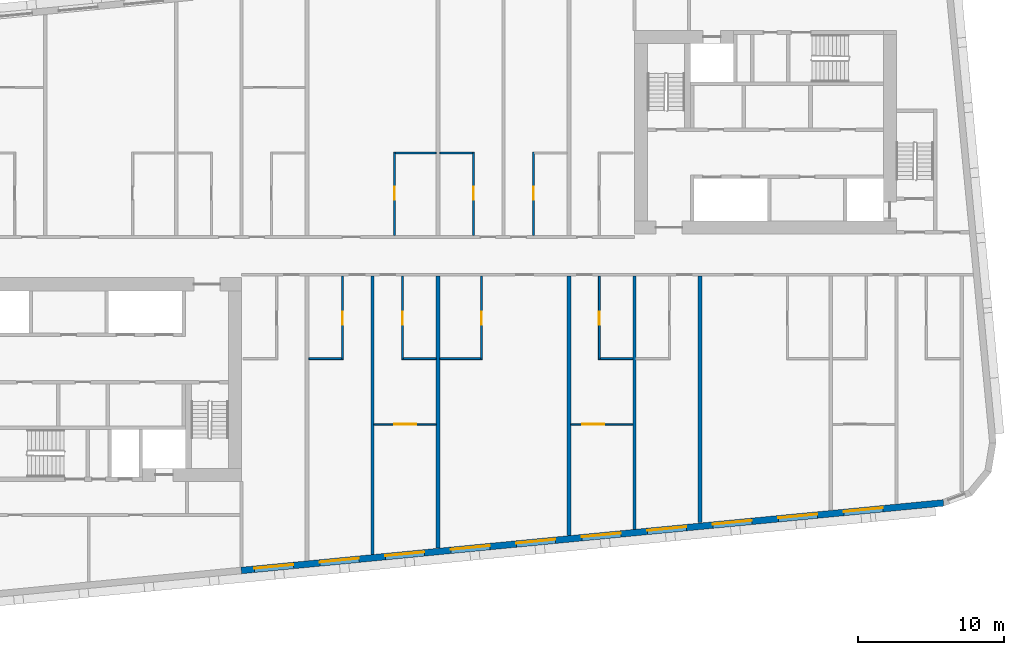
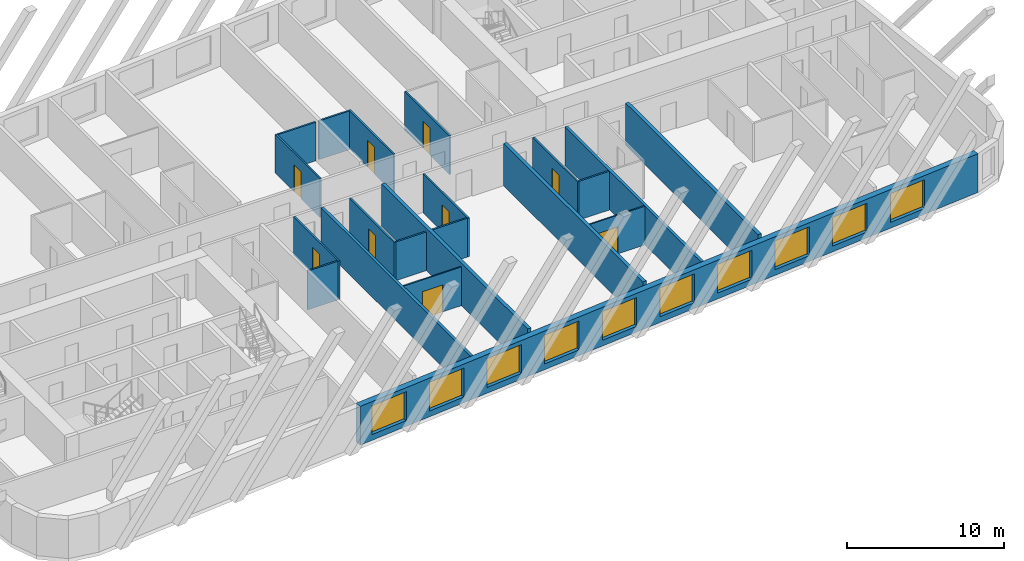
# One storey, part 4 of 13: 21 walls, 10 windows, 9 doors, 19 openings.
"""IFC4 building model written with IfcOpenShell, lengths in metres."""

from ifc_helpers import new_model, si_unit, direction, frame, frame_2d, origin, place, context, subcontext, project, spatial, rectangle, extrude, material, layer, layer_set, type_object, element, fill, save


model = new_model("IFC4")

# Units and contexts
model_context = context("Model", 3, precision=1e-05, world=origin(), true_north=direction((0.0, 1.0)))
body_context = subcontext(model_context, "Body", "Model", "MODEL_VIEW")
ifc_project = project(units=[si_unit("LENGTHUNIT", "METRE"), si_unit("AREAUNIT", "SQUARE_METRE"), si_unit("VOLUMEUNIT", "CUBIC_METRE"), si_unit("PLANEANGLEUNIT", "RADIAN"), si_unit("MASSUNIT", "GRAM", prefix="KILO")], contexts=[model_context])

# Site, building, storey
site_placement = place(None, origin())
site = spatial("IfcSite", under=ifc_project, at=site_placement, CompositionType="ELEMENT")
building_placement = place(site_placement, origin())
building = spatial("IfcBuilding", under=site, at=building_placement, Name="Kajstack Hotel Tower", CompositionType="ELEMENT")
storey_placement = place(building_placement, frame((0.0, 0.0, 298.199951171875)))
storey = spatial("IfcBuildingStorey", under=building, at=storey_placement, Name="L75", CompositionType="ELEMENT", Elevation=298.199951171875)

# Walls
ifc_material_1 = material(Name="Twin-frame gypsum board on steel studs, mineral wool", Category="steel")
ifc_layer_1 = layer(ifc_material_1, 0.199951171875)
ifc_layer_set_1 = layer_set([ifc_layer_1], Name="Demising wall 200")
wall_type_1 = type_object("IfcWallType", Name="Demising wall 200", PredefinedType="PARTITIONING", material=ifc_layer_set_1)
wall_1_placement = place(storey_placement, frame((-4.5, -20.529052734375, 0.0), z_axis=(0.0, 0.0, 1.0), x_axis=(0.0, 1.0, 0.0)))
element("IfcWall", 1, at=wall_1_placement, inside=storey, type_object=wall_type_1, Name="G-wall-L75-033", PredefinedType="PARTITIONING", context=body_context, shape_type="SweptSolid", body=[
    extrude(rectangle(XDim=19.129150390625, YDim=0.199951171875, at=frame_2d((9.564453125, 0.0))), origin(), (0.0, 0.0, 1.0), 3.02001953125),
])
wall_2_placement = place(storey_placement, frame((13.5, -18.7958984375, 0.0), z_axis=(0.0, 0.0, 1.0), x_axis=(0.0, 1.0, 0.0)))
element("IfcWall", 2, at=wall_2_placement, inside=storey, type_object=wall_type_1, Name="G-wall-L75-041", PredefinedType="PARTITIONING", context=body_context, shape_type="SweptSolid", body=[
    extrude(rectangle(XDim=17.39599609375, YDim=0.199951171875, at=frame_2d((8.697998046875, 0.0))), origin(), (0.0, 0.0, 1.0), 3.02001953125),
])

# Wall, openings, windows
ifc_material_2 = material(Name="Terracotta-faced brick masonry", Category="masonry")
ifc_layer_2 = layer(ifc_material_2, 0.449951171875)
ifc_layer_set_2 = layer_set([ifc_layer_2], Name="EW-TERRA")
wall_type_2 = type_object("IfcWallType", Name="EW-TERRA", PredefinedType="SOLIDWALL", material=ifc_layer_set_2)
wall_3_placement = place(storey_placement, frame((-13.521484375, -21.6240234375, 0.0), z_axis=(0.0, 0.0, 1.0), x_axis=(0.995396186218, 0.095845878695, 0.0)))
wall_3 = element("IfcWall", 3, at=wall_3_placement, inside=storey, type_object=wall_type_2, Name="E-wall-L75-04-02", PredefinedType="SOLIDWALL", context=body_context, shape_type="SweptSolid", body=[
    extrude(rectangle(XDim=48.481201171875, YDim=0.449951171875, at=frame_2d((24.24072265625, 0.0))), origin(), (0.0, 0.0, 1.0), 3.02001953125),
])
opening_1_placement = place(wall_3_placement, frame((0.910400390625, 0.0, 0.449951171875)))
opening_1 = element("IfcOpeningElement", 4, at=opening_1_placement, cuts=wall_3, Name="Opening W1", PredefinedType="OPENING", context=body_context, shape_type="SweptSolid", body=[
    extrude(rectangle(XDim=2.699951171875, YDim=2.25, at=frame_2d((1.35009765625, 1.125))), frame((0.0, 0.23486328125, 0.0), z_axis=(0.0, -1.0, 0.0), x_axis=(1.0, 0.0, 0.0)), (0.0, 0.0, 1.0), 0.469970703125),
])
opening_2_placement = place(wall_3_placement, frame((5.43115234375, 0.0, 0.449951171875)))
opening_2 = element("IfcOpeningElement", 5, at=opening_2_placement, cuts=wall_3, Name="Opening W1", PredefinedType="OPENING", context=body_context, shape_type="SweptSolid", body=[
    extrude(rectangle(XDim=2.699951171875, YDim=2.25, at=frame_2d((1.35009765625, 1.125))), frame((0.0, 0.23486328125, 0.0), z_axis=(0.0, -1.0, 0.0), x_axis=(1.0, 0.0, 0.0)), (0.0, 0.0, 1.0), 0.469970703125),
])
opening_3_placement = place(wall_3_placement, frame((9.951904296875, 0.0, 0.449951171875)))
opening_3 = element("IfcOpeningElement", 6, at=opening_3_placement, cuts=wall_3, Name="Opening W1", PredefinedType="OPENING", context=body_context, shape_type="SweptSolid", body=[
    extrude(rectangle(XDim=2.699951171875, YDim=2.25, at=frame_2d((1.35009765625, 1.125))), frame((0.0, 0.23486328125, 0.0), z_axis=(0.0, -1.0, 0.0), x_axis=(1.0, 0.0, 0.0)), (0.0, 0.0, 1.0), 0.469970703125),
])
opening_4_placement = place(wall_3_placement, frame((14.472900390625, 0.0, 0.449951171875)))
opening_4 = element("IfcOpeningElement", 7, at=opening_4_placement, cuts=wall_3, Name="Opening W1", PredefinedType="OPENING", context=body_context, shape_type="SweptSolid", body=[
    extrude(rectangle(XDim=2.699951171875, YDim=2.25, at=frame_2d((1.35009765625, 1.125))), frame((0.0, 0.23486328125, 0.0), z_axis=(0.0, -1.0, 0.0), x_axis=(1.0, 0.0, 0.0)), (0.0, 0.0, 1.0), 0.469970703125),
])
opening_5_placement = place(wall_3_placement, frame((18.99365234375, 0.0, 0.449951171875)))
opening_5 = element("IfcOpeningElement", 8, at=opening_5_placement, cuts=wall_3, Name="Opening W1", PredefinedType="OPENING", context=body_context, shape_type="SweptSolid", body=[
    extrude(rectangle(XDim=2.699951171875, YDim=2.25, at=frame_2d((1.35009765625, 1.125))), frame((0.0, 0.23486328125, 0.0), z_axis=(0.0, -1.0, 0.0), x_axis=(1.0, 0.0, 0.0)), (0.0, 0.0, 1.0), 0.469970703125),
])
opening_6_placement = place(wall_3_placement, frame((23.514404296875, 0.0, 0.449951171875)))
opening_6 = element("IfcOpeningElement", 9, at=opening_6_placement, cuts=wall_3, Name="Opening W1", PredefinedType="OPENING", context=body_context, shape_type="SweptSolid", body=[
    extrude(rectangle(XDim=2.699951171875, YDim=2.25, at=frame_2d((1.35009765625, 1.125))), frame((0.0, 0.23486328125, 0.0), z_axis=(0.0, -1.0, 0.0), x_axis=(1.0, 0.0, 0.0)), (0.0, 0.0, 1.0), 0.469970703125),
])
opening_7_placement = place(wall_3_placement, frame((28.03515625, 0.0, 0.449951171875)))
opening_7 = element("IfcOpeningElement", 10, at=opening_7_placement, cuts=wall_3, Name="Opening W1", PredefinedType="OPENING", context=body_context, shape_type="SweptSolid", body=[
    extrude(rectangle(XDim=2.699951171875, YDim=2.25, at=frame_2d((1.35009765625, 1.125))), frame((0.0, 0.23486328125, 0.0), z_axis=(0.0, -1.0, 0.0), x_axis=(1.0, 0.0, 0.0)), (0.0, 0.0, 1.0), 0.469970703125),
])
opening_8_placement = place(wall_3_placement, frame((32.55615234375, 0.0, 0.449951171875)))
opening_8 = element("IfcOpeningElement", 11, at=opening_8_placement, cuts=wall_3, Name="Opening W1", PredefinedType="OPENING", context=body_context, shape_type="SweptSolid", body=[
    extrude(rectangle(XDim=2.699951171875, YDim=2.25, at=frame_2d((1.35009765625, 1.125))), frame((0.0, 0.23486328125, 0.0), z_axis=(0.0, -1.0, 0.0), x_axis=(1.0, 0.0, 0.0)), (0.0, 0.0, 1.0), 0.469970703125),
])
opening_9_placement = place(wall_3_placement, frame((37.076904296875, 0.0, 0.449951171875)))
opening_9 = element("IfcOpeningElement", 12, at=opening_9_placement, cuts=wall_3, Name="Opening W1", PredefinedType="OPENING", context=body_context, shape_type="SweptSolid", body=[
    extrude(rectangle(XDim=2.699951171875, YDim=2.25, at=frame_2d((1.35009765625, 1.125))), frame((0.0, 0.23486328125, 0.0), z_axis=(0.0, -1.0, 0.0), x_axis=(1.0, 0.0, 0.0)), (0.0, 0.0, 1.0), 0.469970703125),
])
opening_10_placement = place(wall_3_placement, frame((41.59765625, 0.0, 0.449951171875)))
opening_10 = element("IfcOpeningElement", 13, at=opening_10_placement, cuts=wall_3, Name="Opening W1", PredefinedType="OPENING", context=body_context, shape_type="SweptSolid", body=[
    extrude(rectangle(XDim=2.699951171875, YDim=2.25, at=frame_2d((1.35009765625, 1.125))), frame((0.0, 0.23486328125, 0.0), z_axis=(0.0, -1.0, 0.0), x_axis=(1.0, 0.0, 0.0)), (0.0, 0.0, 1.0), 0.469970703125),
])
ifc_material_3 = material(Name="Timber-aluminium window, triple glazed", Category="wood")
window_type = type_object("IfcWindowType", Name="WG1", PartitioningType="SINGLE_PANEL", PredefinedType="WINDOW", material=ifc_material_3)
window_1_placement = place(opening_1_placement, origin())
window_1 = element("IfcWindow", 14, at=window_1_placement, inside=storey, type_object=window_type, Name="Window W1 L75-04", OverallHeight=2.25, OverallWidth=2.699951171875, PartitioningType="SINGLE_PANEL", PredefinedType="WINDOW", context=body_context, shape_type="SweptSolid", body=[
    extrude(rectangle(XDim=2.699951171875, YDim=2.25, at=frame_2d((1.35009765625, 1.125))), frame((0.0, 0.090087890625, 0.0), z_axis=(0.0, -1.0, 0.0), x_axis=(1.0, 0.0, 0.0)), (0.0, 0.0, 1.0), 0.06005859375),
])
fill(opening_1, window_1)
window_2_placement = place(opening_2_placement, origin())
window_2 = element("IfcWindow", 15, at=window_2_placement, inside=storey, type_object=window_type, Name="Window W1 L75-04", OverallHeight=2.25, OverallWidth=2.699951171875, PartitioningType="SINGLE_PANEL", PredefinedType="WINDOW", context=body_context, shape_type="SweptSolid", body=[
    extrude(rectangle(XDim=2.699951171875, YDim=2.25, at=frame_2d((1.35009765625, 1.125))), frame((0.0, 0.090087890625, 0.0), z_axis=(0.0, -1.0, 0.0), x_axis=(1.0, 0.0, 0.0)), (0.0, 0.0, 1.0), 0.06005859375),
])
fill(opening_2, window_2)
window_3_placement = place(opening_3_placement, origin())
window_3 = element("IfcWindow", 16, at=window_3_placement, inside=storey, type_object=window_type, Name="Window W1 L75-04", OverallHeight=2.25, OverallWidth=2.699951171875, PartitioningType="SINGLE_PANEL", PredefinedType="WINDOW", context=body_context, shape_type="SweptSolid", body=[
    extrude(rectangle(XDim=2.699951171875, YDim=2.25, at=frame_2d((1.35009765625, 1.125))), frame((0.0, 0.090087890625, 0.0), z_axis=(0.0, -1.0, 0.0), x_axis=(1.0, 0.0, 0.0)), (0.0, 0.0, 1.0), 0.06005859375),
])
fill(opening_3, window_3)
window_4_placement = place(opening_4_placement, origin())
window_4 = element("IfcWindow", 17, at=window_4_placement, inside=storey, type_object=window_type, Name="Window W1 L75-04", OverallHeight=2.25, OverallWidth=2.699951171875, PartitioningType="SINGLE_PANEL", PredefinedType="WINDOW", context=body_context, shape_type="SweptSolid", body=[
    extrude(rectangle(XDim=2.699951171875, YDim=2.25, at=frame_2d((1.35009765625, 1.125))), frame((0.0, 0.090087890625, 0.0), z_axis=(0.0, -1.0, 0.0), x_axis=(1.0, 0.0, 0.0)), (0.0, 0.0, 1.0), 0.06005859375),
])
fill(opening_4, window_4)
window_5_placement = place(opening_5_placement, origin())
window_5 = element("IfcWindow", 18, at=window_5_placement, inside=storey, type_object=window_type, Name="Window W1 L75-04", OverallHeight=2.25, OverallWidth=2.699951171875, PartitioningType="SINGLE_PANEL", PredefinedType="WINDOW", context=body_context, shape_type="SweptSolid", body=[
    extrude(rectangle(XDim=2.699951171875, YDim=2.25, at=frame_2d((1.35009765625, 1.125))), frame((0.0, 0.090087890625, 0.0), z_axis=(0.0, -1.0, 0.0), x_axis=(1.0, 0.0, 0.0)), (0.0, 0.0, 1.0), 0.06005859375),
])
fill(opening_5, window_5)
window_6_placement = place(opening_6_placement, origin())
window_6 = element("IfcWindow", 19, at=window_6_placement, inside=storey, type_object=window_type, Name="Window W1 L75-04", OverallHeight=2.25, OverallWidth=2.699951171875, PartitioningType="SINGLE_PANEL", PredefinedType="WINDOW", context=body_context, shape_type="SweptSolid", body=[
    extrude(rectangle(XDim=2.699951171875, YDim=2.25, at=frame_2d((1.35009765625, 1.125))), frame((0.0, 0.090087890625, 0.0), z_axis=(0.0, -1.0, 0.0), x_axis=(1.0, 0.0, 0.0)), (0.0, 0.0, 1.0), 0.06005859375),
])
fill(opening_6, window_6)
window_7_placement = place(opening_7_placement, origin())
window_7 = element("IfcWindow", 20, at=window_7_placement, inside=storey, type_object=window_type, Name="Window W1 L75-04", OverallHeight=2.25, OverallWidth=2.699951171875, PartitioningType="SINGLE_PANEL", PredefinedType="WINDOW", context=body_context, shape_type="SweptSolid", body=[
    extrude(rectangle(XDim=2.699951171875, YDim=2.25, at=frame_2d((1.35009765625, 1.125))), frame((0.0, 0.090087890625, 0.0), z_axis=(0.0, -1.0, 0.0), x_axis=(1.0, 0.0, 0.0)), (0.0, 0.0, 1.0), 0.06005859375),
])
fill(opening_7, window_7)
window_8_placement = place(opening_8_placement, origin())
window_8 = element("IfcWindow", 21, at=window_8_placement, inside=storey, type_object=window_type, Name="Window W1 L75-04", OverallHeight=2.25, OverallWidth=2.699951171875, PartitioningType="SINGLE_PANEL", PredefinedType="WINDOW", context=body_context, shape_type="SweptSolid", body=[
    extrude(rectangle(XDim=2.699951171875, YDim=2.25, at=frame_2d((1.35009765625, 1.125))), frame((0.0, 0.090087890625, 0.0), z_axis=(0.0, -1.0, 0.0), x_axis=(1.0, 0.0, 0.0)), (0.0, 0.0, 1.0), 0.06005859375),
])
fill(opening_8, window_8)
window_9_placement = place(opening_9_placement, origin())
window_9 = element("IfcWindow", 22, at=window_9_placement, inside=storey, type_object=window_type, Name="Window W1 L75-04", OverallHeight=2.25, OverallWidth=2.699951171875, PartitioningType="SINGLE_PANEL", PredefinedType="WINDOW", context=body_context, shape_type="SweptSolid", body=[
    extrude(rectangle(XDim=2.699951171875, YDim=2.25, at=frame_2d((1.35009765625, 1.125))), frame((0.0, 0.090087890625, 0.0), z_axis=(0.0, -1.0, 0.0), x_axis=(1.0, 0.0, 0.0)), (0.0, 0.0, 1.0), 0.06005859375),
])
fill(opening_9, window_9)
window_10_placement = place(opening_10_placement, origin())
window_10 = element("IfcWindow", 23, at=window_10_placement, inside=storey, type_object=window_type, Name="Window W1 L75-04", OverallHeight=2.25, OverallWidth=2.699951171875, PartitioningType="SINGLE_PANEL", PredefinedType="WINDOW", context=body_context, shape_type="SweptSolid", body=[
    extrude(rectangle(XDim=2.699951171875, YDim=2.25, at=frame_2d((1.35009765625, 1.125))), frame((0.0, 0.090087890625, 0.0), z_axis=(0.0, -1.0, 0.0), x_axis=(1.0, 0.0, 0.0)), (0.0, 0.0, 1.0), 0.06005859375),
])
fill(opening_10, window_10)

# Wall, opening, door
ifc_material_4 = material(Name="Gypsum board and tiled backer on steel studs", Category="steel")
ifc_layer_3 = layer(ifc_material_4, 0.125)
ifc_layer_set_3 = layer_set([ifc_layer_3], Name="En-suite wall 125")
wall_type_3 = type_object("IfcWallType", Name="En-suite wall 125", PredefinedType="PARTITIONING", material=ifc_layer_set_3)
wall_4_placement = place(storey_placement, frame((-2.987060546875, 1.39990234375, 0.0), z_axis=(0.0, 0.0, 1.0), x_axis=(0.0, 1.0, 0.0)))
wall_4 = element("IfcWall", 24, at=wall_4_placement, inside=storey, type_object=wall_type_3, Name="G-wall-L75-021", PredefinedType="PARTITIONING", context=body_context, shape_type="SweptSolid", body=[
    extrude(rectangle(XDim=5.72509765625, YDim=0.125, at=frame_2d((2.862548828125, 0.0))), origin(), (0.0, 0.0, 1.0), 3.02001953125),
])
opening_11_placement = place(wall_4_placement, frame((2.449951171875, 0.0, 0.0)))
opening_11 = element("IfcOpeningElement", 25, at=opening_11_placement, cuts=wall_4, Name="Opening 75017", PredefinedType="OPENING", context=body_context, shape_type="SweptSolid", body=[
    extrude(rectangle(XDim=0.89990234375, YDim=2.10009765625, at=frame_2d((0.449951171875, 1.050048828125))), frame((0.0, 0.072509765625, 0.0), z_axis=(0.0, -1.0, 0.0), x_axis=(1.0, 0.0, 0.0)), (0.0, 0.0, 1.0), 0.14501953125),
])
ifc_material_5 = material(Name="Painted timber door leaf", Category="wood")
door_type_1 = type_object("IfcDoorType", Name="Room door 900", OperationType="SINGLE_SWING_LEFT", PredefinedType="DOOR", material=ifc_material_5)
door_1_placement = place(opening_11_placement, origin())
door_1 = element("IfcDoor", 26, at=door_1_placement, inside=storey, type_object=door_type_1, Name="G-door-L75-17", OperationType="SINGLE_SWING_LEFT", OverallHeight=2.10009765625, OverallWidth=0.89990234375, PredefinedType="DOOR", context=body_context, shape_type="SweptSolid", body=[
    extrude(rectangle(XDim=0.89990234375, YDim=2.10009765625, at=frame_2d((0.449951171875, 1.050048828125))), frame((0.0, 0.02490234375, 0.0), z_axis=(0.0, -1.0, 0.0), x_axis=(1.0, 0.0, 0.0)), (0.0, 0.0, 1.0), 0.050048828125),
])
fill(opening_11, door_1)

# Wall
wall_5_placement = place(storey_placement, frame((-2.925048828125, 7.06201171875, 0.0), z_axis=(0.0, 0.0, 1.0), x_axis=(1.0, 0.0, 0.0)))
element("IfcWall", 27, at=wall_5_placement, inside=storey, type_object=wall_type_3, Name="G-wall-L75-022", PredefinedType="PARTITIONING", context=body_context, shape_type="SweptSolid", body=[
    extrude(rectangle(XDim=2.800048828125, YDim=0.125, at=frame_2d((1.39990234375, 0.0))), origin(), (0.0, 0.0, 1.0), 3.02001953125),
])

# Wall, opening, door
wall_6_placement = place(storey_placement, frame((2.43798828125, 1.39990234375, 0.0), z_axis=(0.0, 0.0, 1.0), x_axis=(0.0, 1.0, 0.0)))
wall_6 = element("IfcWall", 28, at=wall_6_placement, inside=storey, type_object=wall_type_3, Name="G-wall-L75-024", PredefinedType="PARTITIONING", context=body_context, shape_type="SweptSolid", body=[
    extrude(rectangle(XDim=5.72509765625, YDim=0.125, at=frame_2d((2.862548828125, 0.0))), origin(), (0.0, 0.0, 1.0), 3.02001953125),
])
opening_12_placement = place(wall_6_placement, frame((2.449951171875, 0.0, 0.0)))
opening_12 = element("IfcOpeningElement", 29, at=opening_12_placement, cuts=wall_6, Name="Opening 75019", PredefinedType="OPENING", context=body_context, shape_type="SweptSolid", body=[
    extrude(rectangle(XDim=0.89990234375, YDim=2.10009765625, at=frame_2d((0.449951171875, 1.050048828125))), frame((0.0, 0.072509765625, 0.0), z_axis=(0.0, -1.0, 0.0), x_axis=(1.0, 0.0, 0.0)), (0.0, 0.0, 1.0), 0.14501953125),
])
door_2_placement = place(opening_12_placement, origin())
door_2 = element("IfcDoor", 30, at=door_2_placement, inside=storey, type_object=door_type_1, Name="G-door-L75-19", OperationType="SINGLE_SWING_RIGHT", OverallHeight=2.10009765625, OverallWidth=0.89990234375, PredefinedType="DOOR", context=body_context, shape_type="SweptSolid", body=[
    extrude(rectangle(XDim=0.89990234375, YDim=2.10009765625, at=frame_2d((0.449951171875, 1.050048828125))), frame((0.0, 0.02490234375, 0.0), z_axis=(0.0, -1.0, 0.0), x_axis=(1.0, 0.0, 0.0)), (0.0, 0.0, 1.0), 0.050048828125),
])
fill(opening_12, door_2)

# Wall
wall_7_placement = place(storey_placement, frame((0.125, 7.06201171875, 0.0), z_axis=(0.0, 0.0, 1.0), x_axis=(1.0, 0.0, 0.0)))
element("IfcWall", 31, at=wall_7_placement, inside=storey, type_object=wall_type_3, Name="G-wall-L75-025", PredefinedType="PARTITIONING", context=body_context, shape_type="SweptSolid", body=[
    extrude(rectangle(XDim=2.25, YDim=0.125, at=frame_2d((1.125, 0.0))), origin(), (0.0, 0.0, 1.0), 3.02001953125),
])

# Wall, opening, door
wall_8_placement = place(storey_placement, frame((6.56201171875, 1.39990234375, 0.0), z_axis=(0.0, 0.0, 1.0), x_axis=(0.0, 1.0, 0.0)))
wall_8 = element("IfcWall", 32, at=wall_8_placement, inside=storey, type_object=wall_type_3, Name="G-wall-L75-026", PredefinedType="PARTITIONING", context=body_context, shape_type="SweptSolid", body=[
    extrude(rectangle(XDim=5.72509765625, YDim=0.125, at=frame_2d((2.862548828125, 0.0))), origin(), (0.0, 0.0, 1.0), 3.02001953125),
])
opening_13_placement = place(wall_8_placement, frame((2.449951171875, 0.0, 0.0)))
opening_13 = element("IfcOpeningElement", 33, at=opening_13_placement, cuts=wall_8, Name="Opening 75021", PredefinedType="OPENING", context=body_context, shape_type="SweptSolid", body=[
    extrude(rectangle(XDim=0.89990234375, YDim=2.10009765625, at=frame_2d((0.449951171875, 1.050048828125))), frame((0.0, 0.072509765625, 0.0), z_axis=(0.0, -1.0, 0.0), x_axis=(1.0, 0.0, 0.0)), (0.0, 0.0, 1.0), 0.14501953125),
])
door_3_placement = place(opening_13_placement, origin())
door_3 = element("IfcDoor", 34, at=door_3_placement, inside=storey, type_object=door_type_1, Name="G-door-L75-21", OperationType="SINGLE_SWING_LEFT", OverallHeight=2.10009765625, OverallWidth=0.89990234375, PredefinedType="DOOR", context=body_context, shape_type="SweptSolid", body=[
    extrude(rectangle(XDim=0.89990234375, YDim=2.10009765625, at=frame_2d((0.449951171875, 1.050048828125))), frame((0.0, 0.02490234375, 0.0), z_axis=(0.0, -1.0, 0.0), x_axis=(1.0, 0.0, 0.0)), (0.0, 0.0, 1.0), 0.050048828125),
])
fill(opening_13, door_3)

wall_9_placement = place(storey_placement, frame((-6.56201171875, -7.125, 0.0), z_axis=(0.0, 0.0, 1.0), x_axis=(0.0, 1.0, 0.0)))
wall_9 = element("IfcWall", 35, at=wall_9_placement, inside=storey, type_object=wall_type_3, Name="G-wall-L75-034", PredefinedType="PARTITIONING", context=body_context, shape_type="SweptSolid", body=[
    extrude(rectangle(XDim=5.72509765625, YDim=0.125, at=frame_2d((2.862548828125, 0.0))), origin(), (0.0, 0.0, 1.0), 3.02001953125),
])
opening_14_placement = place(wall_9_placement, frame((2.375, 0.0, 0.0)))
opening_14 = element("IfcOpeningElement", 36, at=opening_14_placement, cuts=wall_9, Name="Opening 75027", PredefinedType="OPENING", context=body_context, shape_type="SweptSolid", body=[
    extrude(rectangle(XDim=0.89990234375, YDim=2.10009765625, at=frame_2d((0.449951171875, 1.050048828125))), frame((0.0, 0.072509765625, 0.0), z_axis=(0.0, -1.0, 0.0), x_axis=(1.0, 0.0, 0.0)), (0.0, 0.0, 1.0), 0.14501953125),
])
door_4_placement = place(opening_14_placement, origin())
door_4 = element("IfcDoor", 37, at=door_4_placement, inside=storey, type_object=door_type_1, Name="G-door-L75-27", OperationType="SINGLE_SWING_RIGHT", OverallHeight=2.10009765625, OverallWidth=0.89990234375, PredefinedType="DOOR", context=body_context, shape_type="SweptSolid", body=[
    extrude(rectangle(XDim=0.89990234375, YDim=2.10009765625, at=frame_2d((0.449951171875, 1.050048828125))), frame((0.0, 0.02490234375, 0.0), z_axis=(0.0, -1.0, 0.0), x_axis=(1.0, 0.0, 0.0)), (0.0, 0.0, 1.0), 0.050048828125),
])
fill(opening_14, door_4)

# Wall
wall_10_placement = place(storey_placement, frame((-8.875, -7.06201171875, 0.0), z_axis=(0.0, 0.0, 1.0), x_axis=(1.0, 0.0, 0.0)))
element("IfcWall", 38, at=wall_10_placement, inside=storey, type_object=wall_type_3, Name="G-wall-L75-035", PredefinedType="PARTITIONING", context=body_context, shape_type="SweptSolid", body=[
    extrude(rectangle(XDim=2.25, YDim=0.125, at=frame_2d((1.125, 0.0))), origin(), (0.0, 0.0, 1.0), 3.02001953125),
])

# Wall, opening, door
wall_11_placement = place(storey_placement, frame((-2.43798828125, -7.125, 0.0), z_axis=(0.0, 0.0, 1.0), x_axis=(0.0, 1.0, 0.0)))
wall_11 = element("IfcWall", 39, at=wall_11_placement, inside=storey, type_object=wall_type_3, Name="G-wall-L75-036", PredefinedType="PARTITIONING", context=body_context, shape_type="SweptSolid", body=[
    extrude(rectangle(XDim=5.72509765625, YDim=0.125, at=frame_2d((2.862548828125, 0.0))), origin(), (0.0, 0.0, 1.0), 3.02001953125),
])
opening_15_placement = place(wall_11_placement, frame((2.375, 0.0, 0.0)))
opening_15 = element("IfcOpeningElement", 40, at=opening_15_placement, cuts=wall_11, Name="Opening 75029", PredefinedType="OPENING", context=body_context, shape_type="SweptSolid", body=[
    extrude(rectangle(XDim=0.89990234375, YDim=2.10009765625, at=frame_2d((0.449951171875, 1.050048828125))), frame((0.0, 0.072509765625, 0.0), z_axis=(0.0, -1.0, 0.0), x_axis=(1.0, 0.0, 0.0)), (0.0, 0.0, 1.0), 0.14501953125),
])
door_5_placement = place(opening_15_placement, origin())
door_5 = element("IfcDoor", 41, at=door_5_placement, inside=storey, type_object=door_type_1, Name="G-door-L75-29", OperationType="SINGLE_SWING_RIGHT", OverallHeight=2.10009765625, OverallWidth=0.89990234375, PredefinedType="DOOR", context=body_context, shape_type="SweptSolid", body=[
    extrude(rectangle(XDim=0.89990234375, YDim=2.10009765625, at=frame_2d((0.449951171875, 1.050048828125))), frame((0.0, 0.02490234375, 0.0), z_axis=(0.0, -1.0, 0.0), x_axis=(1.0, 0.0, 0.0)), (0.0, 0.0, 1.0), 0.050048828125),
])
fill(opening_15, door_5)

# Wall
wall_12_placement = place(storey_placement, frame((-2.375, -7.06201171875, 0.0), z_axis=(0.0, 0.0, 1.0), x_axis=(1.0, 0.0, 0.0)))
element("IfcWall", 42, at=wall_12_placement, inside=storey, type_object=wall_type_3, Name="G-wall-L75-037", PredefinedType="PARTITIONING", context=body_context, shape_type="SweptSolid", body=[
    extrude(rectangle(XDim=2.25, YDim=0.125, at=frame_2d((1.125, 0.0))), origin(), (0.0, 0.0, 1.0), 3.02001953125),
])

# Wall, opening, door
wall_13_placement = place(storey_placement, frame((2.987060546875, -7.125, 0.0), z_axis=(0.0, 0.0, 1.0), x_axis=(0.0, 1.0, 0.0)))
wall_13 = element("IfcWall", 43, at=wall_13_placement, inside=storey, type_object=wall_type_3, Name="G-wall-L75-039", PredefinedType="PARTITIONING", context=body_context, shape_type="SweptSolid", body=[
    extrude(rectangle(XDim=5.72509765625, YDim=0.125, at=frame_2d((2.862548828125, 0.0))), origin(), (0.0, 0.0, 1.0), 3.02001953125),
])
opening_16_placement = place(wall_13_placement, frame((2.375, 0.0, 0.0)))
opening_16 = element("IfcOpeningElement", 44, at=opening_16_placement, cuts=wall_13, Name="Opening 75032", PredefinedType="OPENING", context=body_context, shape_type="SweptSolid", body=[
    extrude(rectangle(XDim=0.89990234375, YDim=2.10009765625, at=frame_2d((0.449951171875, 1.050048828125))), frame((0.0, 0.072509765625, 0.0), z_axis=(0.0, -1.0, 0.0), x_axis=(1.0, 0.0, 0.0)), (0.0, 0.0, 1.0), 0.14501953125),
])
door_6_placement = place(opening_16_placement, origin())
door_6 = element("IfcDoor", 45, at=door_6_placement, inside=storey, type_object=door_type_1, Name="G-door-L75-32", OperationType="SINGLE_SWING_LEFT", OverallHeight=2.10009765625, OverallWidth=0.89990234375, PredefinedType="DOOR", context=body_context, shape_type="SweptSolid", body=[
    extrude(rectangle(XDim=0.89990234375, YDim=2.10009765625, at=frame_2d((0.449951171875, 1.050048828125))), frame((0.0, 0.02490234375, 0.0), z_axis=(0.0, -1.0, 0.0), x_axis=(1.0, 0.0, 0.0)), (0.0, 0.0, 1.0), 0.050048828125),
])
fill(opening_16, door_6)

# Wall
wall_14_placement = place(storey_placement, frame((0.125, -7.06201171875, 0.0), z_axis=(0.0, 0.0, 1.0), x_axis=(1.0, 0.0, 0.0)))
element("IfcWall", 46, at=wall_14_placement, inside=storey, type_object=wall_type_3, Name="G-wall-L75-040", PredefinedType="PARTITIONING", context=body_context, shape_type="SweptSolid", body=[
    extrude(rectangle(XDim=2.800048828125, YDim=0.125, at=frame_2d((1.39990234375, 0.0))), origin(), (0.0, 0.0, 1.0), 3.02001953125),
])

# Wall, opening, door
wall_15_placement = place(storey_placement, frame((11.087890625, -7.125, 0.0), z_axis=(0.0, 0.0, 1.0), x_axis=(0.0, 1.0, 0.0)))
wall_15 = element("IfcWall", 47, at=wall_15_placement, inside=storey, type_object=wall_type_3, Name="G-wall-L75-042", PredefinedType="PARTITIONING", context=body_context, shape_type="SweptSolid", body=[
    extrude(rectangle(XDim=5.72509765625, YDim=0.125, at=frame_2d((2.862548828125, 0.0))), origin(), (0.0, 0.0, 1.0), 3.02001953125),
])
opening_17_placement = place(wall_15_placement, frame((2.375, 0.0, 0.0)))
opening_17 = element("IfcOpeningElement", 48, at=opening_17_placement, cuts=wall_15, Name="Opening 75034", PredefinedType="OPENING", context=body_context, shape_type="SweptSolid", body=[
    extrude(rectangle(XDim=0.89990234375, YDim=2.10009765625, at=frame_2d((0.449951171875, 1.050048828125))), frame((0.0, 0.072509765625, 0.0), z_axis=(0.0, -1.0, 0.0), x_axis=(1.0, 0.0, 0.0)), (0.0, 0.0, 1.0), 0.14501953125),
])
door_7_placement = place(opening_17_placement, origin())
door_7 = element("IfcDoor", 49, at=door_7_placement, inside=storey, type_object=door_type_1, Name="G-door-L75-34", OperationType="SINGLE_SWING_LEFT", OverallHeight=2.10009765625, OverallWidth=0.89990234375, PredefinedType="DOOR", context=body_context, shape_type="SweptSolid", body=[
    extrude(rectangle(XDim=0.89990234375, YDim=2.10009765625, at=frame_2d((0.449951171875, 1.050048828125))), frame((0.0, 0.02490234375, 0.0), z_axis=(0.0, -1.0, 0.0), x_axis=(1.0, 0.0, 0.0)), (0.0, 0.0, 1.0), 0.050048828125),
])
fill(opening_17, door_7)

# Wall
wall_16_placement = place(storey_placement, frame((11.14990234375, -7.06201171875, 0.0), z_axis=(0.0, 0.0, 1.0), x_axis=(1.0, 0.0, 0.0)))
element("IfcWall", 50, at=wall_16_placement, inside=storey, type_object=wall_type_3, Name="G-wall-L75-043", PredefinedType="PARTITIONING", context=body_context, shape_type="SweptSolid", body=[
    extrude(rectangle(XDim=2.25, YDim=0.125, at=frame_2d((1.125, 0.0))), origin(), (0.0, 0.0, 1.0), 3.02001953125),
])

# Wall, opening, door
ifc_material_6 = material(Name="Gypsum board on steel studs", Category="steel")
ifc_layer_4 = layer(ifc_material_6, 0.10009765625)
ifc_layer_set_4 = layer_set([ifc_layer_4], Name="Partition 100")
wall_type_4 = type_object("IfcWallType", Name="Partition 100", PredefinedType="PARTITIONING", material=ifc_layer_set_4)
wall_17_placement = place(storey_placement, frame((-4.39990234375, -11.574951171875, 0.0), z_axis=(0.0, 0.0, 1.0), x_axis=(1.0, 0.0, 0.0)))
wall_17 = element("IfcWall", 51, at=wall_17_placement, inside=storey, type_object=wall_type_4, Name="G-wall-L75-038", PredefinedType="PARTITIONING", context=body_context, shape_type="SweptSolid", body=[
    extrude(rectangle(XDim=4.27490234375, YDim=0.10009765625, at=frame_2d((2.137451171875, 0.0))), origin(), (0.0, 0.0, 1.0), 3.02001953125),
])
opening_18_placement = place(wall_17_placement, frame((1.387939453125, 0.0, 0.0)))
opening_18 = element("IfcOpeningElement", 52, at=opening_18_placement, cuts=wall_17, Name="Opening 75030", PredefinedType="OPENING", context=body_context, shape_type="SweptSolid", body=[
    extrude(rectangle(XDim=1.5, YDim=2.10009765625, at=frame_2d((0.75, 1.050048828125))), frame((0.0, 0.06005859375, 0.0), z_axis=(0.0, -1.0, 0.0), x_axis=(1.0, 0.0, 0.0)), (0.0, 0.0, 1.0), 0.1201171875),
])
ifc_material_7 = material(Name="Painted timber door leaves, glazed panels", Category="wood")
door_type_2 = type_object("IfcDoorType", Name="Double door 1500", OperationType="SINGLE_SWING_LEFT", PredefinedType="DOOR", material=ifc_material_7)
door_8_placement = place(opening_18_placement, origin())
door_8 = element("IfcDoor", 53, at=door_8_placement, inside=storey, type_object=door_type_2, Name="G-door-L75-30", OperationType="SINGLE_SWING_RIGHT", OverallHeight=2.10009765625, OverallWidth=1.5, PredefinedType="DOOR", context=body_context, shape_type="SweptSolid", body=[
    extrude(rectangle(XDim=1.5, YDim=2.10009765625, at=frame_2d((0.75, 1.050048828125))), frame((0.0, 0.02490234375, 0.0), z_axis=(0.0, -1.0, 0.0), x_axis=(1.0, 0.0, 0.0)), (0.0, 0.0, 1.0), 0.050048828125),
])
fill(opening_18, door_8)

wall_18_placement = place(storey_placement, frame((9.125, -11.574951171875, 0.0), z_axis=(0.0, 0.0, 1.0), x_axis=(1.0, 0.0, 0.0)))
wall_18 = element("IfcWall", 54, at=wall_18_placement, inside=storey, type_object=wall_type_4, Name="G-wall-L75-044", PredefinedType="PARTITIONING", context=body_context, shape_type="SweptSolid", body=[
    extrude(rectangle(XDim=4.27490234375, YDim=0.10009765625, at=frame_2d((2.137451171875, 0.0))), origin(), (0.0, 0.0, 1.0), 3.02001953125),
])
opening_19_placement = place(wall_18_placement, frame((0.787109375, 0.0, 0.0)))
opening_19 = element("IfcOpeningElement", 55, at=opening_19_placement, cuts=wall_18, Name="Opening 75035", PredefinedType="OPENING", context=body_context, shape_type="SweptSolid", body=[
    extrude(rectangle(XDim=1.5, YDim=2.10009765625, at=frame_2d((0.75, 1.050048828125))), frame((0.0, 0.06005859375, 0.0), z_axis=(0.0, -1.0, 0.0), x_axis=(1.0, 0.0, 0.0)), (0.0, 0.0, 1.0), 0.1201171875),
])
door_9_placement = place(opening_19_placement, origin())
door_9 = element("IfcDoor", 56, at=door_9_placement, inside=storey, type_object=door_type_2, Name="G-door-L75-35", OperationType="SINGLE_SWING_RIGHT", OverallHeight=2.10009765625, OverallWidth=1.5, PredefinedType="DOOR", context=body_context, shape_type="SweptSolid", body=[
    extrude(rectangle(XDim=1.5, YDim=2.10009765625, at=frame_2d((0.75, 1.050048828125))), frame((0.0, 0.02490234375, 0.0), z_axis=(0.0, -1.0, 0.0), x_axis=(1.0, 0.0, 0.0)), (0.0, 0.0, 1.0), 0.050048828125),
])
fill(opening_19, door_9)

# Walls
ifc_material_8 = material(Name="Concrete C40/50", Category="concrete")
ifc_layer_5 = layer(ifc_material_8, 0.25)
ifc_layer_set_5 = layer_set([ifc_layer_5], Name="RC cross wall 250 C40/50")
wall_type_5 = type_object("IfcWallType", Name="RC cross wall 250 C40/50", PredefinedType="SHEAR", material=ifc_layer_set_5)
wall_19_placement = place(storey_placement, frame((0.0, -20.073974609375, 0.0), z_axis=(0.0, 0.0, 1.0), x_axis=(0.0, 1.0, 0.0)))
element("IfcWall", 57, at=wall_19_placement, inside=storey, type_object=wall_type_5, Name="S-wall-L75-06", PredefinedType="SHEAR", context=body_context, shape_type="SweptSolid", body=[
    extrude(rectangle(XDim=18.674072265625, YDim=0.25, at=frame_2d((9.3369140625, 0.0))), origin(), (0.0, 0.0, 1.0), 3.300048828125),
])
wall_20_placement = place(storey_placement, frame((9.0, -19.207275390625, 0.0), z_axis=(0.0, 0.0, 1.0), x_axis=(0.0, 1.0, 0.0)))
element("IfcWall", 58, at=wall_20_placement, inside=storey, type_object=wall_type_5, Name="S-wall-L75-08", PredefinedType="SHEAR", context=body_context, shape_type="SweptSolid", body=[
    extrude(rectangle(XDim=17.807373046875, YDim=0.25, at=frame_2d((8.90380859375, 0.0))), origin(), (0.0, 0.0, 1.0), 3.300048828125),
])
wall_21_placement = place(storey_placement, frame((18.0, -18.3408203125, 0.0), z_axis=(0.0, 0.0, 1.0), x_axis=(0.0, 1.0, 0.0)))
element("IfcWall", 59, at=wall_21_placement, inside=storey, type_object=wall_type_5, Name="S-wall-L75-10", PredefinedType="SHEAR", context=body_context, shape_type="SweptSolid", body=[
    extrude(rectangle(XDim=16.94091796875, YDim=0.25, at=frame_2d((8.470458984375, 0.0))), origin(), (0.0, 0.0, 1.0), 3.300048828125),
])

save(model, "model.ifc")
